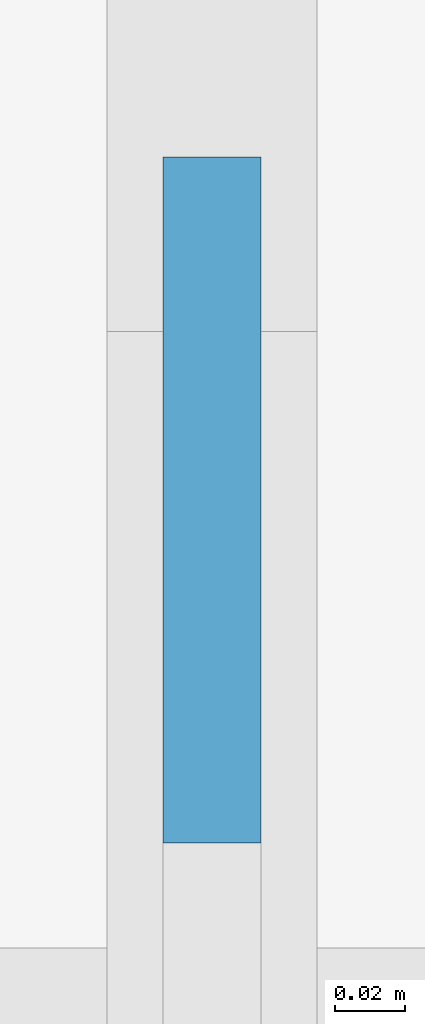
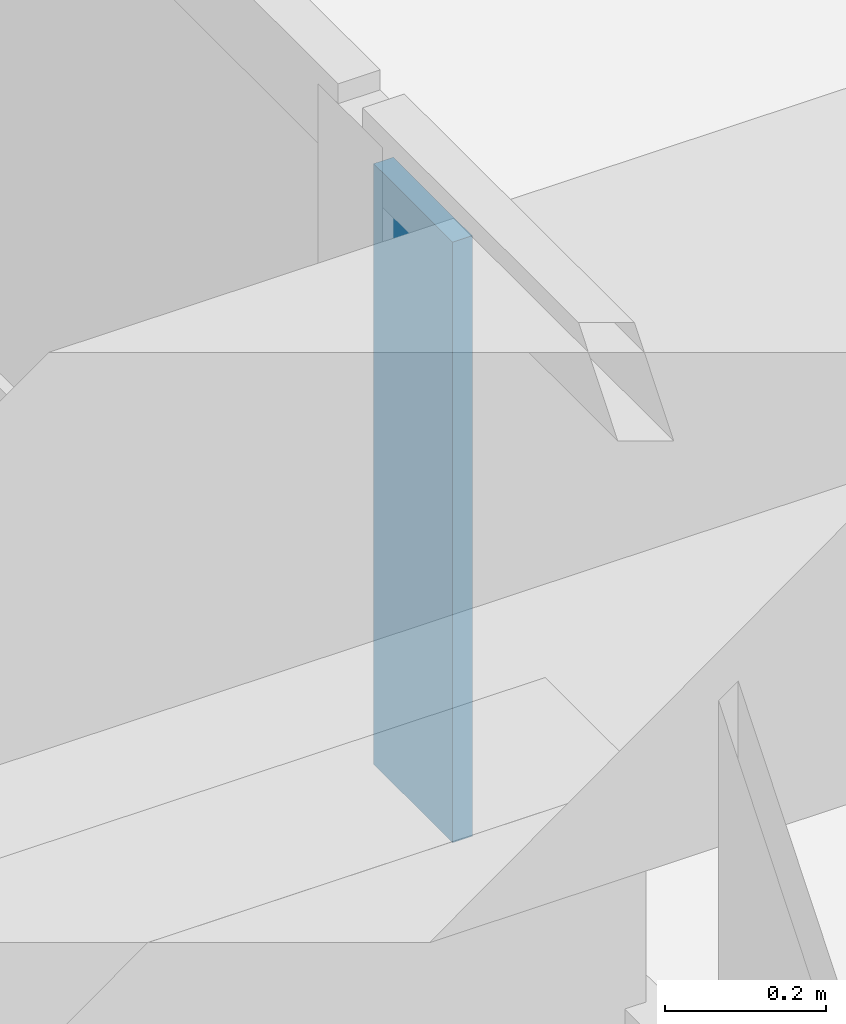
# One storey, part 36 of 85: 1 plate, 1 element without a shape of its own.
"""IFC4 building model written with IfcOpenShell, lengths in metres."""

from ifc_helpers import new_model, si_unit, direction, frame, origin, origin_2d, place, context, subcontext, project, spatial, rectangle, extrude, material, layer, layer_set, type_object, element, aggregate, save


model = new_model("IFC4")

# Units and contexts
model_context = context("Model", 3, precision=1e-05, world=origin(), true_north=direction((0.0, 1.0)))
body_context = subcontext(model_context, "Body", "Model", "MODEL_VIEW")
ifc_project = project(units=[si_unit("LENGTHUNIT", "METRE"), si_unit("AREAUNIT", "SQUARE_METRE"), si_unit("VOLUMEUNIT", "CUBIC_METRE"), si_unit("PLANEANGLEUNIT", "RADIAN"), si_unit("MASSUNIT", "GRAM", prefix="KILO")], contexts=[model_context])

# Site, building, storey
site_placement = place(None, origin())
site = spatial("IfcSite", under=ifc_project, at=site_placement, CompositionType="ELEMENT")
building_placement = place(site_placement, origin())
building = spatial("IfcBuilding", under=site, at=building_placement, Name="Rain Tree Exposition and Congress Centre", CompositionType="ELEMENT")
storey_placement = place(building_placement, frame((0.0, 0.0, 15.0)))
storey = spatial("IfcBuildingStorey", under=building, at=storey_placement, Name="L03", CompositionType="ELEMENT", Elevation=15.0)

# Curtain wall, plate
ifc_material_1 = material(Name="Aluminium curtain wall", Category="aluminium")
curtain_wall_type = type_object("IfcCurtainWallType", Name="Wing curtain wall 1925", PredefinedType="NOTDEFINED", material=ifc_material_1)
curtain_wall_placement = place(storey_placement, origin())
curtain_wall = element("IfcCurtainWall", 1, at=curtain_wall_placement, inside=storey, type_object=curtain_wall_type, Name="Curtain wall CWW505", PredefinedType="NOTDEFINED")
ifc_material_2 = material(Name="Double glazed unit", Category="glass")
ifc_layer = layer(ifc_material_2, 0.028076171875)
ifc_layer_set = layer_set([ifc_layer], Name="Double glazed unit")
plate_type = type_object("IfcPlateType", Name="Wing glazing panel 28", PredefinedType="CURTAIN_PANEL", material=ifc_layer_set)
plate_placement = place(storey_placement, frame((6.800048828125, 8.828125, 3.18017578125), z_axis=(0.0, 0.0, 1.0), x_axis=(0.0, 1.0, 0.0)))
plate = element("IfcPlate", 2, at=plate_placement, type_object=plate_type, Name="CWW505 panel 1.4.2", PredefinedType="CURTAIN_PANEL", context=body_context, shape_type="SweptSolid", body=[
    extrude(rectangle(XDim=0.1962890625, YDim=0.028076171875, at=origin_2d()), origin(), (0.0, 0.0, 1.0), 0.909912109375),
])
aggregate(curtain_wall, [plate])

save(model, "model.ifc")
